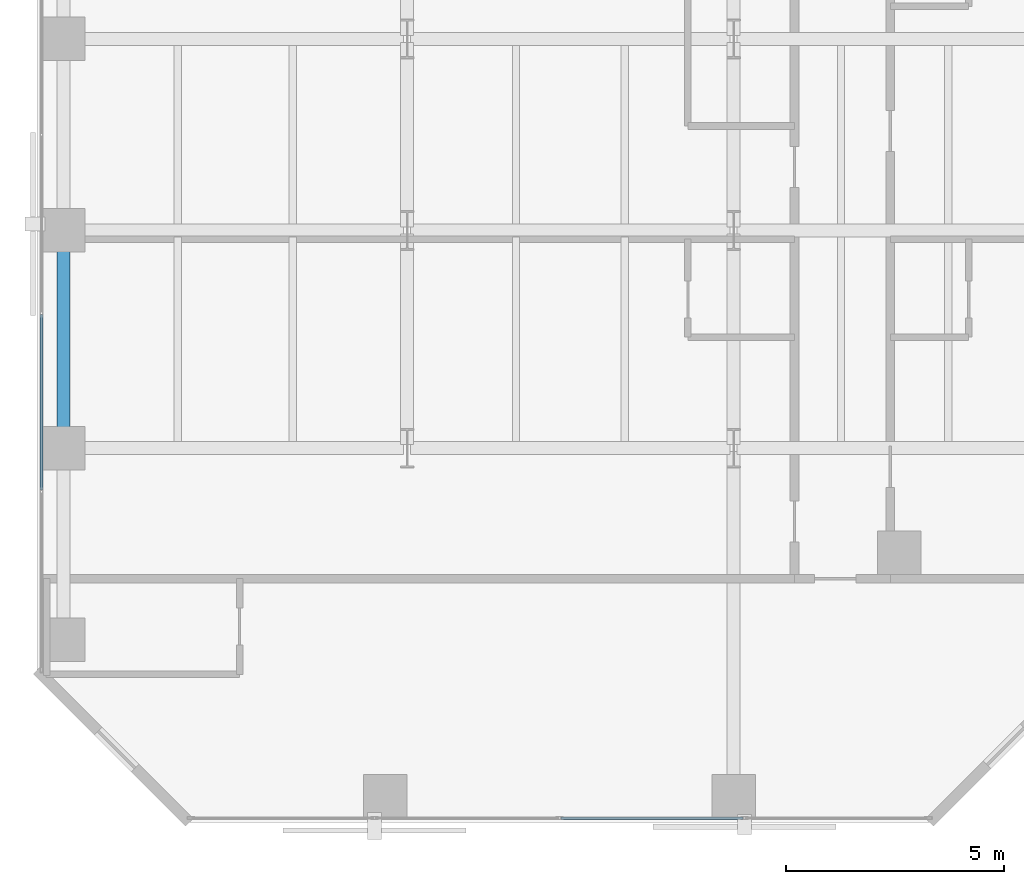
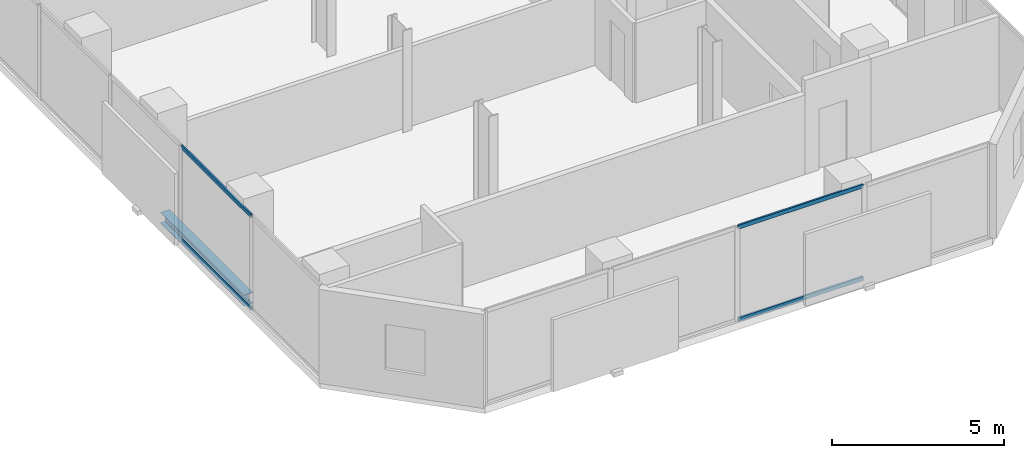
# One storey, part 3 of 31: 4 members, 1 beam, 2 elements without a shape of their own.
"""IFC4 building model written with IfcOpenShell, lengths in metres."""

from ifc_helpers import new_model, si_unit, direction, frame, origin, origin_2d, place, context, subcontext, project, spatial, hollow_rectangle, i_section, extrude, material, layer, layer_set, material_profile, profile_set, type_object, element, aggregate, save


model = new_model("IFC4")

# Units and contexts
model_context = context("Model", 3, precision=1e-05, world=origin(), true_north=direction((0.0, 1.0)))
body_context = subcontext(model_context, "Body", "Model", "MODEL_VIEW")
ifc_project = project(units=[si_unit("LENGTHUNIT", "METRE"), si_unit("AREAUNIT", "SQUARE_METRE"), si_unit("VOLUMEUNIT", "CUBIC_METRE"), si_unit("PLANEANGLEUNIT", "RADIAN"), si_unit("MASSUNIT", "GRAM", prefix="KILO")], contexts=[model_context])

# Site, building, storey
site_placement = place(None, origin())
site = spatial("IfcSite", under=ifc_project, at=site_placement, CompositionType="ELEMENT")
building_placement = place(site_placement, origin())
building = spatial("IfcBuilding", under=site, at=building_placement, Name="Catumbela Crestline Tower", CompositionType="ELEMENT")
storey_placement = place(building_placement, frame((0.0, 0.0, 40.2)))
storey = spatial("IfcBuildingStorey", under=building, at=storey_placement, Name="L09", CompositionType="ELEMENT", Elevation=40.2)

# Beam
ifc_material_1 = material(Name="Structural steel S355J2", Category="steel")
ifc_material_profile_1 = material_profile(ifc_material_1, i_section(OverallWidth=0.3, OverallDepth=0.39, WebThickness=0.011, FlangeThickness=0.019, FilletRadius=0.027, at=origin_2d()), Name="HEA 400")
ifc_profile_set_1 = profile_set([ifc_material_profile_1], Name="Structural steel S355J2")
beam_type = type_object("IfcBeamType", Name="BS-HEA400", PredefinedType="SPANDREL", material=ifc_profile_set_1)
beam_placement = place(storey_placement, frame((0.6, 8.68, -0.455), z_axis=(0.0, 1.0, 0.0), x_axis=(-1.0, 0.0, 0.0)))
element("IfcBeam", 1, at=beam_placement, inside=storey, type_object=beam_type, Name="L09 Spandrel SP-L09-WNS58", PredefinedType="SPANDREL", context=body_context, shape_type="SweptSolid", body=[
    extrude(i_section(OverallWidth=0.3, OverallDepth=0.39, WebThickness=0.011, FlangeThickness=0.019, FilletRadius=0.027, at=origin_2d()), origin(), (0.0, 0.0, 1.0), 4.84),
])

# Curtain wall, members
ifc_material_2 = material(Name="Aluminium alloy AW-6060-T66", Category="aluminium")
ifc_layer = layer(ifc_material_2, 0.18, Name="Aluminium alloy AW-6060-T66")
ifc_layer_set = layer_set([ifc_layer], Name="Aluminium alloy AW-6060-T66")
curtain_wall_type = type_object("IfcCurtainWallType", Name="CWU-Z1", PredefinedType="USERDEFINED", material=ifc_layer_set)
curtain_wall_1_placement = place(storey_placement, origin())
curtain_wall_1 = element("IfcCurtainWall", 2, at=curtain_wall_1_placement, inside=storey, type_object=curtain_wall_type, Name="L09 Unitised Curtain Wall CW-L09-E0S1", ObjectType="UNITISED", PredefinedType="USERDEFINED")
ifc_material_profile_2 = material_profile(ifc_material_2, hollow_rectangle(XDim=0.06, YDim=0.14, WallThickness=0.004, at=origin_2d()), Name="ALU 140x60x4")
ifc_profile_set_2 = profile_set([ifc_material_profile_2], Name="Aluminium alloy AW-6060-T66")
member_type = type_object("IfcMemberType", Name="TRN-140X60", PredefinedType="USERDEFINED", material=ifc_profile_set_2)
member_1_placement = place(storey_placement, frame((12.0325, 0.1, 0.03), z_axis=(1.0, 0.0, 0.0), x_axis=(0.0, 1.0, 0.0)))
member_1 = element("IfcMember", 3, at=member_1_placement, type_object=member_type, Name="CWU-Z1 transom 3.1", ObjectType="TRANSOM", PredefinedType="USERDEFINED", context=body_context, shape_type="SweptSolid", body=[
    extrude(hollow_rectangle(XDim=0.06, YDim=0.14, WallThickness=0.004, at=origin_2d()), origin(), (0.0, 0.0, 1.0), 4.185),
])
member_2_placement = place(storey_placement, frame((12.0325, 0.1, 3.3), z_axis=(1.0, 0.0, 0.0), x_axis=(0.0, 1.0, 0.0)))
member_2 = element("IfcMember", 4, at=member_2_placement, type_object=member_type, Name="CWU-Z1 transom 3.2", ObjectType="TRANSOM", PredefinedType="USERDEFINED", context=body_context, shape_type="SweptSolid", body=[
    extrude(hollow_rectangle(XDim=0.06, YDim=0.14, WallThickness=0.004, at=origin_2d()), origin(), (0.0, 0.0, 1.0), 4.185),
])
aggregate(curtain_wall_1, [member_1, member_2])

curtain_wall_2_placement = place(storey_placement, origin())
curtain_wall_2 = element("IfcCurtainWall", 5, at=curtain_wall_2_placement, inside=storey, type_object=curtain_wall_type, Name="L09 Unitised Curtain Wall CW-L09-E9S1", ObjectType="UNITISED", PredefinedType="USERDEFINED")
member_3_placement = place(storey_placement, frame((0.1, 11.6675, 0.03), z_axis=(0.0, -1.0, 0.0), x_axis=(1.0, 0.0, 0.0)))
member_3 = element("IfcMember", 6, at=member_3_placement, type_object=member_type, Name="CWU-Z1 transom 9.1", ObjectType="TRANSOM", PredefinedType="USERDEFINED", context=body_context, shape_type="SweptSolid", body=[
    extrude(hollow_rectangle(XDim=0.06, YDim=0.14, WallThickness=0.004, at=origin_2d()), origin(), (0.0, 0.0, 1.0), 4.035),
])
member_4_placement = place(storey_placement, frame((0.1, 11.6675, 3.3), z_axis=(0.0, -1.0, 0.0), x_axis=(1.0, 0.0, 0.0)))
member_4 = element("IfcMember", 7, at=member_4_placement, type_object=member_type, Name="CWU-Z1 transom 9.2", ObjectType="TRANSOM", PredefinedType="USERDEFINED", context=body_context, shape_type="SweptSolid", body=[
    extrude(hollow_rectangle(XDim=0.06, YDim=0.14, WallThickness=0.004, at=origin_2d()), origin(), (0.0, 0.0, 1.0), 4.035),
])
aggregate(curtain_wall_2, [member_3, member_4])

save(model, "model.ifc")
